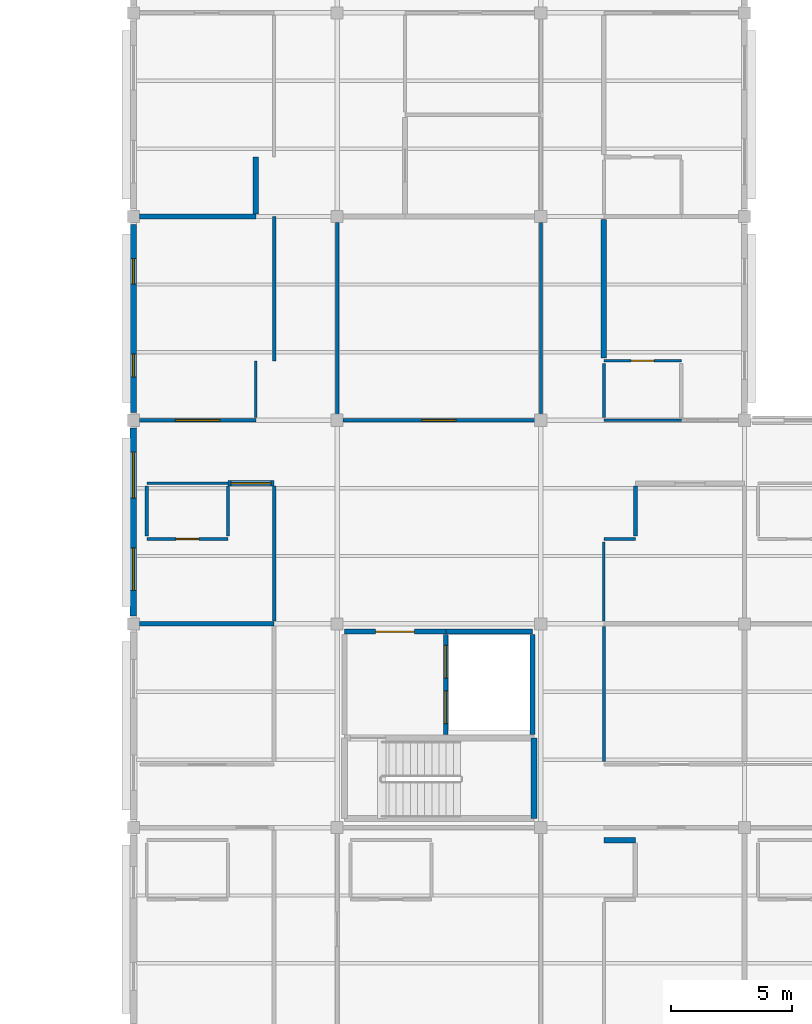
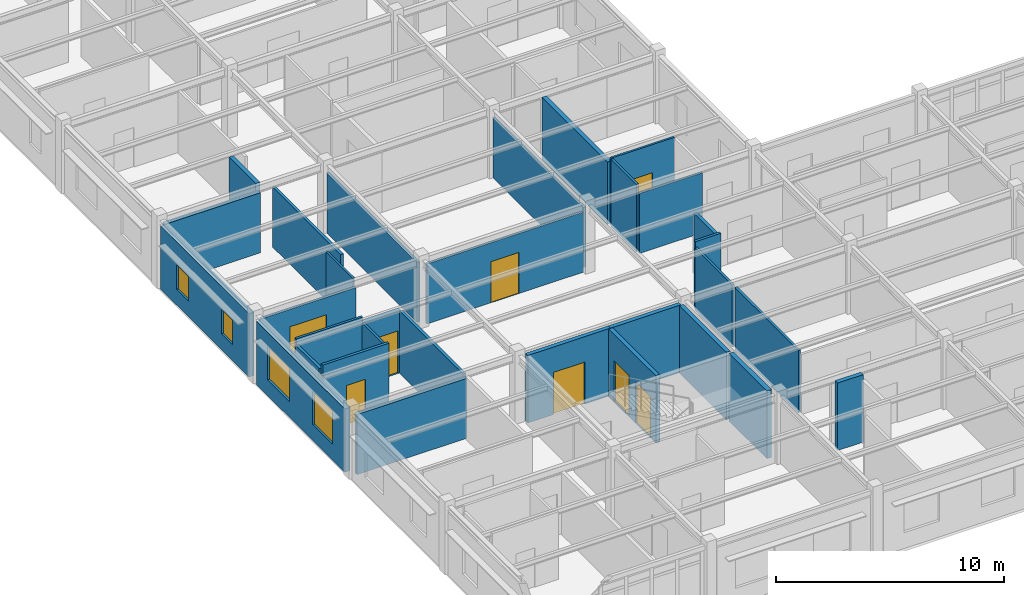
# One storey, part 33 of 53: 31 walls, 8 doors, 4 windows, 12 openings.
"""IFC4 building model written with IfcOpenShell, lengths in metres."""

from ifc_helpers import new_model, si_unit, direction, frame, frame_2d, origin, place, context, subcontext, project, spatial, rectangle, extrude, material, layer, layer_set, type_object, element, fill, save


model = new_model("IFC4")

# Units and contexts
model_context = context("Model", 3, precision=1e-05, world=origin(), true_north=direction((0.0, 1.0)))
body_context = subcontext(model_context, "Body", "Model", "MODEL_VIEW")
ifc_project = project(units=[si_unit("LENGTHUNIT", "METRE"), si_unit("AREAUNIT", "SQUARE_METRE"), si_unit("VOLUMEUNIT", "CUBIC_METRE"), si_unit("PLANEANGLEUNIT", "RADIAN"), si_unit("MASSUNIT", "GRAM", prefix="KILO")], contexts=[model_context])

# Site, building, storey
site_placement = place(None, origin())
site = spatial("IfcSite", under=ifc_project, at=site_placement, CompositionType="ELEMENT")
building_placement = place(site_placement, origin())
building = spatial("IfcBuilding", under=site, at=building_placement, Name="Bramfleet General Hospital", CompositionType="ELEMENT")
storey_placement = place(building_placement, frame((0.0, 0.0, 26.39990234375)))
storey = spatial("IfcBuildingStorey", under=building, at=storey_placement, Name="L06", CompositionType="ELEMENT", Elevation=26.39990234375)

# Wall, openings, windows
ifc_material_1 = material(Name="Precast concrete C40/50", Category="concrete")
ifc_layer_1 = layer(ifc_material_1, 0.264892578125, Name="WT-EW-07")
ifc_layer_set_1 = layer_set([ifc_layer_1], Name="Precast concrete C40/50")
wall_type_1 = type_object("IfcWallType", Name="WT-EW-07", PredefinedType="SOLIDWALL", material=ifc_layer_set_1)
wall_1_placement = place(storey_placement, frame((92.39990234375, 17.125, 0.0), z_axis=(0.0, 0.0, 1.0), x_axis=(0.0, 1.0, 0.0)))
wall_1 = element("IfcWall", 1, at=wall_1_placement, inside=storey, type_object=wall_type_1, Name="L06 Exterior Wall 425", PredefinedType="SOLIDWALL", context=body_context, shape_type="SweptSolid", body=[
    extrude(rectangle(XDim=7.75, YDim=0.264892578125, at=frame_2d((3.875, 0.0))), origin(), (0.0, 0.0, 1.0), 3.380126953125),
])
opening_1_placement = place(wall_1_placement, frame((1.0625, 0.0, 0.85009765625)))
opening_1 = element("IfcOpeningElement", 2, at=opening_1_placement, cuts=wall_1, Name="Opening W-45", PredefinedType="OPENING", context=body_context, shape_type="SweptSolid", body=[
    extrude(rectangle(XDim=1.75, YDim=1.780029296875, at=frame_2d((0.875, 0.89013671875))), frame((0.0, 0.142333984375, 0.0), z_axis=(0.0, -1.0, 0.0), x_axis=(1.0, 0.0, 0.0)), (0.0, 0.0, 1.0), 0.284912109375),
])
opening_2_placement = place(wall_1_placement, frame((4.862548828125, 0.0, 0.85009765625)))
opening_2 = element("IfcOpeningElement", 3, at=opening_2_placement, cuts=wall_1, Name="Opening W-46", PredefinedType="OPENING", context=body_context, shape_type="SweptSolid", body=[
    extrude(rectangle(XDim=1.89990234375, YDim=1.780029296875, at=frame_2d((0.949951171875, 0.89013671875))), frame((0.0, 0.142333984375, 0.0), z_axis=(0.0, -1.0, 0.0), x_axis=(1.0, 0.0, 0.0)), (0.0, 0.0, 1.0), 0.284912109375),
])
ifc_material_2 = material(Name="Anodised aluminium and low-E triple glazing", Category="aluminium")
window_type_1 = type_object("IfcWindowType", Name="WIN-W-45", PartitioningType="SINGLE_PANEL", PredefinedType="WINDOW", material=ifc_material_2)
window_1_placement = place(opening_1_placement, origin())
window_1 = element("IfcWindow", 4, at=window_1_placement, inside=storey, type_object=window_type_1, Name="L06 Facade Window WIN-L06-425-1", OverallHeight=1.780029296875, OverallWidth=1.75, PartitioningType="SINGLE_PANEL", PredefinedType="WINDOW", context=body_context, shape_type="SweptSolid", body=[
    extrude(rectangle(XDim=1.75, YDim=1.780029296875, at=frame_2d((0.875, 0.89013671875))), frame((0.0, 0.030029296875, 0.0), z_axis=(0.0, -1.0, 0.0), x_axis=(1.0, 0.0, 0.0)), (0.0, 0.0, 1.0), 0.06005859375),
])
fill(opening_1, window_1)
window_type_2 = type_object("IfcWindowType", Name="WIN-W-46", PartitioningType="SINGLE_PANEL", PredefinedType="WINDOW", material=ifc_material_2)
window_2_placement = place(opening_2_placement, origin())
window_2 = element("IfcWindow", 5, at=window_2_placement, inside=storey, type_object=window_type_2, Name="L06 Facade Window WIN-L06-425-2", OverallHeight=1.780029296875, OverallWidth=1.89990234375, PartitioningType="SINGLE_PANEL", PredefinedType="WINDOW", context=body_context, shape_type="SweptSolid", body=[
    extrude(rectangle(XDim=1.89990234375, YDim=1.780029296875, at=frame_2d((0.949951171875, 0.89013671875))), frame((0.0, 0.030029296875, 0.0), z_axis=(0.0, -1.0, 0.0), x_axis=(1.0, 0.0, 0.0)), (0.0, 0.0, 1.0), 0.06005859375),
])
fill(opening_2, window_2)

ifc_layer_2 = layer(ifc_material_1, 0.25, Name="WT-EW-08")
ifc_layer_set_2 = layer_set([ifc_layer_2], Name="Precast concrete C40/50")
wall_type_2 = type_object("IfcWallType", Name="WT-EW-08", PredefinedType="SOLIDWALL", material=ifc_layer_set_2)
wall_2_placement = place(storey_placement, frame((92.39990234375, 25.52490234375, 0.0), z_axis=(0.0, 0.0, 1.0), x_axis=(0.0, 1.0, 0.0)))
wall_2 = element("IfcWall", 6, at=wall_2_placement, inside=storey, type_object=wall_type_2, Name="L06 Exterior Wall 426", PredefinedType="SOLIDWALL", context=body_context, shape_type="SweptSolid", body=[
    extrude(rectangle(XDim=7.75, YDim=0.25, at=frame_2d((3.875, 0.0))), origin(), (0.0, 0.0, 1.0), 3.380126953125),
])
opening_3_placement = place(wall_2_placement, frame((1.46240234375, 0.0, 0.85009765625)))
opening_3 = element("IfcOpeningElement", 7, at=opening_3_placement, cuts=wall_2, Name="Opening W-01", PredefinedType="OPENING", context=body_context, shape_type="SweptSolid", body=[
    extrude(rectangle(XDim=0.949951171875, YDim=1.300048828125, at=frame_2d((0.47509765625, 0.64990234375))), frame((0.0, 0.135009765625, 0.0), z_axis=(0.0, -1.0, 0.0), x_axis=(1.0, 0.0, 0.0)), (0.0, 0.0, 1.0), 0.27001953125),
])
opening_4_placement = place(wall_2_placement, frame((5.28759765625, 0.0, 0.85009765625)))
opening_4 = element("IfcOpeningElement", 8, at=opening_4_placement, cuts=wall_2, Name="Opening W-02", PredefinedType="OPENING", context=body_context, shape_type="SweptSolid", body=[
    extrude(rectangle(XDim=1.050048828125, YDim=1.300048828125, at=frame_2d((0.52490234375, 0.64990234375))), frame((0.0, 0.135009765625, 0.0), z_axis=(0.0, -1.0, 0.0), x_axis=(1.0, 0.0, 0.0)), (0.0, 0.0, 1.0), 0.27001953125),
])
window_type_3 = type_object("IfcWindowType", Name="WIN-W-01", PartitioningType="SINGLE_PANEL", PredefinedType="WINDOW", material=ifc_material_2)
window_3_placement = place(opening_3_placement, origin())
window_3 = element("IfcWindow", 9, at=window_3_placement, inside=storey, type_object=window_type_3, Name="L06 Facade Window WIN-L06-426-1", OverallHeight=1.300048828125, OverallWidth=0.949951171875, PartitioningType="SINGLE_PANEL", PredefinedType="WINDOW", context=body_context, shape_type="SweptSolid", body=[
    extrude(rectangle(XDim=0.949951171875, YDim=1.300048828125, at=frame_2d((0.47509765625, 0.64990234375))), frame((0.0, 0.030029296875, 0.0), z_axis=(0.0, -1.0, 0.0), x_axis=(1.0, 0.0, 0.0)), (0.0, 0.0, 1.0), 0.06005859375),
])
fill(opening_3, window_3)
window_type_4 = type_object("IfcWindowType", Name="WIN-W-02", PartitioningType="SINGLE_PANEL", PredefinedType="WINDOW", material=ifc_material_2)
window_4_placement = place(opening_4_placement, origin())
window_4 = element("IfcWindow", 10, at=window_4_placement, inside=storey, type_object=window_type_4, Name="L06 Facade Window WIN-L06-426-2", OverallHeight=1.300048828125, OverallWidth=1.050048828125, PartitioningType="SINGLE_PANEL", PredefinedType="WINDOW", context=body_context, shape_type="SweptSolid", body=[
    extrude(rectangle(XDim=1.050048828125, YDim=1.300048828125, at=frame_2d((0.52490234375, 0.64990234375))), frame((0.0, 0.030029296875, 0.0), z_axis=(0.0, -1.0, 0.0), x_axis=(1.0, 0.0, 0.0)), (0.0, 0.0, 1.0), 0.06005859375),
])
fill(opening_4, window_4)

# Wall
ifc_material_3 = material(Name="Concrete C35/45", Category="concrete")
ifc_layer_3 = layer(ifc_material_3, 0.219970703125, Name="WT-IW-01")
ifc_layer_set_3 = layer_set([ifc_layer_3], Name="Concrete C35/45")
wall_type_3 = type_object("IfcWallType", Name="WT-IW-01", PredefinedType="PARTITIONING", material=ifc_layer_set_3)
wall_3_placement = place(storey_placement, frame((111.800048828125, 7.8798828125, 0.0), z_axis=(0.0, 0.0, 1.0), x_axis=(1.0, 0.0, 0.0)))
element("IfcWall", 11, at=wall_3_placement, inside=storey, type_object=wall_type_3, Name="L06 Interior Partition IW-L06-3841", PredefinedType="PARTITIONING", context=body_context, shape_type="SweptSolid", body=[
    extrude(rectangle(XDim=1.300048828125, YDim=0.219970703125, at=frame_2d((0.64990234375, 0.0))), origin(), (0.0, 0.0, 1.0), 3.610107421875),
])

# Wall, opening, door
wall_4_placement = place(storey_placement, frame((96.300048828125, 22.60009765625, 0.0), z_axis=(0.0, 0.0, 1.0), x_axis=(1.0, 0.0, 0.0)))
wall_4 = element("IfcWall", 12, at=wall_4_placement, inside=storey, type_object=wall_type_3, Name="L06 Interior Partition IW-L06-3865", PredefinedType="PARTITIONING", context=body_context, shape_type="SweptSolid", body=[
    extrude(rectangle(XDim=1.89990234375, YDim=0.219970703125, at=frame_2d((0.949951171875, 0.0))), origin(), (0.0, 0.0, 1.0), 3.340087890625),
])
opening_5_placement = place(wall_4_placement, frame((0.1298828125, 0.0, 0.0)))
opening_5 = element("IfcOpeningElement", 13, at=opening_5_placement, cuts=wall_4, Name="Opening D1458", PredefinedType="OPENING", context=body_context, shape_type="SweptSolid", body=[
    extrude(rectangle(XDim=1.639892578125, YDim=2.280029296875, at=frame_2d((0.81982421875, 1.14013671875))), frame((0.0, 0.119873046875, 0.0), z_axis=(0.0, -1.0, 0.0), x_axis=(1.0, 0.0, 0.0)), (0.0, 0.0, 1.0), 0.239990234375),
])
ifc_material_4 = material(Name="Stainless steel and acoustic timber leaf", Category="steel")
door_type_1 = type_object("IfcDoorType", Name="DR-D-18", OperationType="NOTDEFINED", PredefinedType="DOOR", material=ifc_material_4)
door_1_placement = place(opening_5_placement, origin())
door_1 = element("IfcDoor", 14, at=door_1_placement, inside=storey, type_object=door_type_1, Name="Oncology and Neurology Ward Bedroom L06-1102 Door D1458", OperationType="DOUBLE_SWING_LEFT", OverallHeight=2.280029296875, OverallWidth=1.639892578125, PredefinedType="DOOR", context=body_context, shape_type="SweptSolid", body=[
    extrude(rectangle(XDim=1.639892578125, YDim=2.280029296875, at=frame_2d((0.81982421875, 1.14013671875))), frame((0.0, 0.02490234375, 0.0), z_axis=(0.0, -1.0, 0.0), x_axis=(1.0, 0.0, 0.0)), (0.0, 0.0, 1.0), 0.050048828125),
])
fill(opening_5, door_1)

# Walls
wall_5_placement = place(storey_placement, frame((92.64501953125, 33.60009765625, 0.0), z_axis=(0.0, 0.0, 1.0), x_axis=(1.0, 0.0, 0.0)))
element("IfcWall", 15, at=wall_5_placement, inside=storey, type_object=wall_type_3, Name="L06 Interior Partition IW-L06-3877", PredefinedType="PARTITIONING", context=body_context, shape_type="SweptSolid", body=[
    extrude(rectangle(XDim=4.804931640625, YDim=0.219970703125, at=frame_2d((2.40234375, 0.0))), origin(), (0.0, 0.0, 1.0), 3.210205078125),
])
wall_6_placement = place(storey_placement, frame((97.449951171875, 33.715087890625, 0.0), z_axis=(0.0, 0.0, 1.0), x_axis=(0.0, 1.0, 0.0)))
element("IfcWall", 16, at=wall_6_placement, inside=storey, type_object=wall_type_3, Name="L06 Interior Partition IW-L06-4009", PredefinedType="PARTITIONING", context=body_context, shape_type="SweptSolid", body=[
    extrude(rectangle(XDim=2.3349609375, YDim=0.219970703125, at=frame_2d((1.16748046875, 0.0))), origin(), (0.0, 0.0, 1.0), 3.610107421875),
])
wall_7_placement = place(storey_placement, frame((111.800048828125, 27.764892578125, 0.0), z_axis=(0.0, 0.0, 1.0), x_axis=(0.0, 1.0, 0.0)))
element("IfcWall", 17, at=wall_7_placement, inside=storey, type_object=wall_type_3, Name="L06 Interior Partition IW-L06-4057", PredefinedType="PARTITIONING", context=body_context, shape_type="SweptSolid", body=[
    extrude(rectangle(XDim=5.72021484375, YDim=0.219970703125, at=frame_2d((2.860107421875, 0.0))), origin(), (0.0, 0.0, 1.0), 3.340087890625),
])

# Wall, openings, doors
ifc_layer_4 = layer(ifc_material_3, 0.205078125, Name="WT-IW-02")
ifc_layer_set_4 = layer_set([ifc_layer_4], Name="Concrete C35/45")
wall_type_4 = type_object("IfcWallType", Name="WT-IW-02", PredefinedType="PARTITIONING", material=ifc_layer_set_4)
wall_8_placement = place(storey_placement, frame((105.280029296875, 12.239990234375, 0.0), z_axis=(0.0, 0.0, 1.0), x_axis=(0.0, 1.0, 0.0)))
wall_8 = element("IfcWall", 18, at=wall_8_placement, inside=storey, type_object=wall_type_4, Name="L06 C3 Lobby East Shaft Wall", PredefinedType="PARTITIONING", context=body_context, shape_type="SweptSolid", body=[
    extrude(rectangle(XDim=4.1201171875, YDim=0.205078125, at=frame_2d((2.06005859375, 0.0))), origin(), (0.0, 0.0, 1.0), 3.610107421875),
])
opening_6_placement = place(wall_8_placement, frame((0.445068359375, 0.0, 0.0)))
opening_6 = element("IfcOpeningElement", 19, at=opening_6_placement, cuts=wall_8, Name="Opening LD-FL-01-L06", PredefinedType="OPENING", context=body_context, shape_type="SweptSolid", body=[
    extrude(rectangle(XDim=1.35009765625, YDim=2.199951171875, at=frame_2d((0.675048828125, 1.10009765625))), frame((0.0, 0.112548828125, 0.0), z_axis=(0.0, -1.0, 0.0), x_axis=(1.0, 0.0, 0.0)), (0.0, 0.0, 1.0), 0.22509765625),
])
opening_7_placement = place(wall_8_placement, frame((2.324951171875, 0.0, 0.0)))
opening_7 = element("IfcOpeningElement", 20, at=opening_7_placement, cuts=wall_8, Name="Opening LD-BL-03-L06", PredefinedType="OPENING", context=body_context, shape_type="SweptSolid", body=[
    extrude(rectangle(XDim=1.35009765625, YDim=2.199951171875, at=frame_2d((0.675048828125, 1.10009765625))), frame((0.0, 0.112548828125, 0.0), z_axis=(0.0, -1.0, 0.0), x_axis=(1.0, 0.0, 0.0)), (0.0, 0.0, 1.0), 0.22509765625),
])
ifc_material_5 = material(Name="Brushed stainless steel 1.4301", Category="steel")
door_type_2 = type_object("IfcDoorType", Name="DR-LD-01", OperationType="NOTDEFINED", PredefinedType="DOOR", material=ifc_material_5)
door_2_placement = place(opening_6_placement, origin())
door_2 = element("IfcDoor", 21, at=door_2_placement, inside=storey, type_object=door_type_2, Name="L06 Lift FL-01 Sliding Landing Door", OperationType="SLIDING_TO_LEFT", OverallHeight=2.199951171875, OverallWidth=1.35009765625, PredefinedType="DOOR", context=body_context, shape_type="SweptSolid", body=[
    extrude(rectangle(XDim=1.35009765625, YDim=2.199951171875, at=frame_2d((0.675048828125, 1.10009765625))), frame((0.0, 0.02490234375, 0.0), z_axis=(0.0, -1.0, 0.0), x_axis=(1.0, 0.0, 0.0)), (0.0, 0.0, 1.0), 0.050048828125),
])
fill(opening_6, door_2)
door_3_placement = place(opening_7_placement, origin())
door_3 = element("IfcDoor", 22, at=door_3_placement, inside=storey, type_object=door_type_2, Name="L06 Lift BL-03 Sliding Landing Door", OperationType="SLIDING_TO_LEFT", OverallHeight=2.199951171875, OverallWidth=1.35009765625, PredefinedType="DOOR", context=body_context, shape_type="SweptSolid", body=[
    extrude(rectangle(XDim=1.35009765625, YDim=2.199951171875, at=frame_2d((0.675048828125, 1.10009765625))), frame((0.0, 0.02490234375, 0.0), z_axis=(0.0, -1.0, 0.0), x_axis=(1.0, 0.0, 0.0)), (0.0, 0.0, 1.0), 0.050048828125),
])
fill(opening_7, door_3)

# Walls
wall_9_placement = place(storey_placement, frame((108.85009765625, 12.239990234375, 0.0), z_axis=(0.0, 0.0, 1.0), x_axis=(0.0, 1.0, 0.0)))
element("IfcWall", 23, at=wall_9_placement, inside=storey, type_object=wall_type_4, Name="L06 C3 Lift Shaft East Wall", PredefinedType="PARTITIONING", context=body_context, shape_type="SweptSolid", body=[
    extrude(rectangle(XDim=4.1201171875, YDim=0.205078125, at=frame_2d((2.06005859375, 0.0))), origin(), (0.0, 0.0, 1.0), 3.610107421875),
])
wall_10_placement = place(storey_placement, frame((105.280029296875, 16.47998046875, 0.0), z_axis=(0.0, 0.0, 1.0), x_axis=(1.0, 0.0, 0.0)))
element("IfcWall", 24, at=wall_10_placement, inside=storey, type_object=wall_type_4, Name="L06 C3 Lift Shaft North Wall", PredefinedType="PARTITIONING", context=body_context, shape_type="SweptSolid", body=[
    extrude(rectangle(XDim=3.570068359375, YDim=0.205078125, at=frame_2d((1.78515625, 0.0))), origin(), (0.0, 0.0, 1.0), 3.610107421875),
])

# Wall, opening, door
wall_11_placement = place(storey_placement, frame((101.10009765625, 16.47998046875, 0.0), z_axis=(0.0, 0.0, 1.0), x_axis=(1.0, 0.0, 0.0)))
wall_11 = element("IfcWall", 25, at=wall_11_placement, inside=storey, type_object=wall_type_4, Name="L06 C3 Lobby North Compartment Wall", PredefinedType="PARTITIONING", context=body_context, shape_type="SweptSolid", body=[
    extrude(rectangle(XDim=4.179931640625, YDim=0.205078125, at=frame_2d((2.08984375, 0.0))), origin(), (0.0, 0.0, 1.0), 3.610107421875),
])
opening_8_placement = place(wall_11_placement, frame((1.2900390625, 0.0, 0.0)))
opening_8 = element("IfcOpeningElement", 26, at=opening_8_placement, cuts=wall_11, Name="Opening D0034", PredefinedType="OPENING", context=body_context, shape_type="SweptSolid", body=[
    extrude(rectangle(XDim=1.60009765625, YDim=2.25, at=frame_2d((0.800048828125, 1.125))), frame((0.0, 0.112548828125, 0.0), z_axis=(0.0, -1.0, 0.0), x_axis=(1.0, 0.0, 0.0)), (0.0, 0.0, 1.0), 0.22509765625),
])
door_type_3 = type_object("IfcDoorType", Name="DR-D-04", OperationType="NOTDEFINED", PredefinedType="DOOR", material=ifc_material_4)
door_4_placement = place(opening_8_placement, origin())
door_4 = element("IfcDoor", 27, at=door_4_placement, inside=storey, type_object=door_type_3, Name="L06 C3 Lobby Fire Door D0034", OperationType="DOUBLE_SWING_LEFT", OverallHeight=2.25, OverallWidth=1.60009765625, PredefinedType="DOOR", context=body_context, shape_type="SweptSolid", body=[
    extrude(rectangle(XDim=1.60009765625, YDim=2.25, at=frame_2d((0.800048828125, 1.125))), frame((0.0, 0.02490234375, 0.0), z_axis=(0.0, -1.0, 0.0), x_axis=(1.0, 0.0, 0.0)), (0.0, 0.0, 1.0), 0.050048828125),
])
fill(opening_8, door_4)

# Walls
ifc_layer_5 = layer(ifc_material_3, 0.18994140625, Name="WT-IW-03")
ifc_layer_set_5 = layer_set([ifc_layer_5], Name="Concrete C35/45")
wall_type_5 = type_object("IfcWallType", Name="WT-IW-03", PredefinedType="PARTITIONING", material=ifc_layer_set_5)
wall_12_placement = place(storey_placement, frame((92.64501953125, 16.800048828125, 0.0), z_axis=(0.0, 0.0, 1.0), x_axis=(1.0, 0.0, 0.0)))
element("IfcWall", 28, at=wall_12_placement, inside=storey, type_object=wall_type_5, Name="L06 Interior Partition IW-L06-3855", PredefinedType="PARTITIONING", context=body_context, shape_type="SweptSolid", body=[
    extrude(rectangle(XDim=5.554931640625, YDim=0.18994140625, at=frame_2d((2.77734375, 0.0))), origin(), (0.0, 0.0, 1.0), 3.210205078125),
])
ifc_material_6 = material(Name="Gypsum plasterboard on acoustic steel studs", Category="steel")
ifc_layer_6 = layer(ifc_material_6, 0.169921875, Name="WT-IW-05")
ifc_layer_set_6 = layer_set([ifc_layer_6], Name="Gypsum plasterboard on acoustic steel studs")
wall_type_6 = type_object("IfcWallType", Name="WT-IW-05", PredefinedType="PARTITIONING", material=ifc_layer_set_6)
wall_13_placement = place(storey_placement, frame((113.10009765625, 20.4150390625, 0.0), z_axis=(0.0, 0.0, 1.0), x_axis=(0.0, 1.0, 0.0)))
element("IfcWall", 29, at=wall_13_placement, inside=storey, type_object=wall_type_6, Name="L06 Interior Partition IW-L06-4073", PredefinedType="PARTITIONING", context=body_context, shape_type="SweptSolid", body=[
    extrude(rectangle(XDim=2.070068359375, YDim=0.169921875, at=frame_2d((1.03515625, 0.0))), origin(), (0.0, 0.0, 1.0), 3.340087890625),
])
ifc_layer_7 = layer(ifc_material_6, 0.14990234375, Name="WT-IW-07")
ifc_layer_set_7 = layer_set([ifc_layer_7], Name="Gypsum plasterboard on acoustic steel studs")
wall_type_7 = type_object("IfcWallType", Name="WT-IW-07", PredefinedType="PARTITIONING", material=ifc_layer_set_7)
wall_14_placement = place(storey_placement, frame((92.949951171875, 20.4150390625, 0.0), z_axis=(0.0, 0.0, 1.0), x_axis=(0.0, 1.0, 0.0)))
element("IfcWall", 30, at=wall_14_placement, inside=storey, type_object=wall_type_7, Name="L06 Interior Partition IW-L06-4003", PredefinedType="PARTITIONING", context=body_context, shape_type="SweptSolid", body=[
    extrude(rectangle(XDim=2.070068359375, YDim=0.14990234375, at=frame_2d((1.03515625, 0.0))), origin(), (0.0, 0.0, 1.0), 3.340087890625),
])
wall_15_placement = place(storey_placement, frame((98.199951171875, 16.9150390625, 0.0), z_axis=(0.0, 0.0, 1.0), x_axis=(0.0, 1.0, 0.0)))
element("IfcWall", 31, at=wall_15_placement, inside=storey, type_object=wall_type_7, Name="L06 Interior Partition IW-L06-4015", PredefinedType="PARTITIONING", context=body_context, shape_type="SweptSolid", body=[
    extrude(rectangle(XDim=5.570068359375, YDim=0.14990234375, at=frame_2d((2.78515625, 0.0))), origin(), (0.0, 0.0, 1.0), 3.340087890625),
])

# Wall, opening, door
ifc_layer_8 = layer(ifc_material_6, 0.139892578125, Name="WT-IW-08")
ifc_layer_set_8 = layer_set([ifc_layer_8], Name="Gypsum plasterboard on acoustic steel studs")
wall_type_8 = type_object("IfcWallType", Name="WT-IW-08", PredefinedType="PARTITIONING", material=ifc_layer_set_8)
wall_16_placement = place(storey_placement, frame((92.949951171875, 20.300048828125, 0.0), z_axis=(0.0, 0.0, 1.0), x_axis=(1.0, 0.0, 0.0)))
wall_16 = element("IfcWall", 32, at=wall_16_placement, inside=storey, type_object=wall_type_8, Name="L06 Interior Partition IW-L06-3860", PredefinedType="PARTITIONING", context=body_context, shape_type="SweptSolid", body=[
    extrude(rectangle(XDim=3.35009765625, YDim=0.139892578125, at=frame_2d((1.675048828125, 0.0))), origin(), (0.0, 0.0, 1.0), 3.610107421875),
])
opening_9_placement = place(wall_16_placement, frame((1.199951171875, 0.0, 0.0)))
opening_9 = element("IfcOpeningElement", 33, at=opening_9_placement, cuts=wall_16, Name="Opening D1459", PredefinedType="OPENING", context=body_context, shape_type="SweptSolid", body=[
    extrude(rectangle(XDim=0.949951171875, YDim=2.10009765625, at=frame_2d((0.47509765625, 1.050048828125))), frame((0.0, 0.079833984375, 0.0), z_axis=(0.0, -1.0, 0.0), x_axis=(1.0, 0.0, 0.0)), (0.0, 0.0, 1.0), 0.159912109375),
])
door_type_4 = type_object("IfcDoorType", Name="DR-D-10", OperationType="NOTDEFINED", PredefinedType="DOOR", material=ifc_material_4)
door_5_placement = place(opening_9_placement, origin())
door_5 = element("IfcDoor", 34, at=door_5_placement, inside=storey, type_object=door_type_4, Name="En-Suite Bathroom L06-1102 Door D1459", OperationType="SINGLE_SWING_LEFT", OverallHeight=2.10009765625, OverallWidth=0.949951171875, PredefinedType="DOOR", context=body_context, shape_type="SweptSolid", body=[
    extrude(rectangle(XDim=0.949951171875, YDim=2.10009765625, at=frame_2d((0.47509765625, 1.050048828125))), frame((0.0, 0.02490234375, 0.0), z_axis=(0.0, -1.0, 0.0), x_axis=(1.0, 0.0, 0.0)), (0.0, 0.0, 1.0), 0.050048828125),
])
fill(opening_9, door_5)

wall_17_placement = place(storey_placement, frame((92.64501953125, 25.199951171875, 0.0), z_axis=(0.0, 0.0, 1.0), x_axis=(1.0, 0.0, 0.0)))
wall_17 = element("IfcWall", 35, at=wall_17_placement, inside=storey, type_object=wall_type_8, Name="L06 Interior Partition IW-L06-3872", PredefinedType="PARTITIONING", context=body_context, shape_type="SweptSolid", body=[
    extrude(rectangle(XDim=4.804931640625, YDim=0.139892578125, at=frame_2d((2.40234375, 0.0))), origin(), (0.0, 0.0, 1.0), 3.210205078125),
])
opening_10_placement = place(wall_17_placement, frame((1.482421875, 0.0, 0.0)))
opening_10 = element("IfcOpeningElement", 36, at=opening_10_placement, cuts=wall_17, Name="Opening D1460", PredefinedType="OPENING", context=body_context, shape_type="SweptSolid", body=[
    extrude(rectangle(XDim=1.840087890625, YDim=2.280029296875, at=frame_2d((0.919921875, 1.14013671875))), frame((0.0, 0.079833984375, 0.0), z_axis=(0.0, -1.0, 0.0), x_axis=(1.0, 0.0, 0.0)), (0.0, 0.0, 1.0), 0.159912109375),
])
door_type_5 = type_object("IfcDoorType", Name="DR-D-20", OperationType="NOTDEFINED", PredefinedType="DOOR", material=ifc_material_4)
door_6_placement = place(opening_10_placement, origin())
door_6 = element("IfcDoor", 37, at=door_6_placement, inside=storey, type_object=door_type_5, Name="Oncology and Neurology Ward Bedroom L06-1103 Door D1460", OperationType="DOUBLE_SWING_LEFT", OverallHeight=2.280029296875, OverallWidth=1.840087890625, PredefinedType="DOOR", context=body_context, shape_type="SweptSolid", body=[
    extrude(rectangle(XDim=1.840087890625, YDim=2.280029296875, at=frame_2d((0.919921875, 1.14013671875))), frame((0.0, 0.02490234375, 0.0), z_axis=(0.0, -1.0, 0.0), x_axis=(1.0, 0.0, 0.0)), (0.0, 0.0, 1.0), 0.050048828125),
])
fill(opening_10, door_6)

# Walls
wall_18_placement = place(storey_placement, frame((98.199951171875, 27.64990234375, 0.0), z_axis=(0.0, 0.0, 1.0), x_axis=(0.0, 1.0, 0.0)))
element("IfcWall", 38, at=wall_18_placement, inside=storey, type_object=wall_type_8, Name="L06 Interior Partition IW-L06-4016", PredefinedType="PARTITIONING", context=body_context, shape_type="SweptSolid", body=[
    extrude(rectangle(XDim=5.9501953125, YDim=0.139892578125, at=frame_2d((2.97509765625, 0.0))), origin(), (0.0, 0.0, 1.0), 3.210205078125),
])
wall_19_placement = place(storey_placement, frame((100.800048828125, 25.445068359375, 0.0), z_axis=(0.0, 0.0, 1.0), x_axis=(0.0, 1.0, 0.0)))
element("IfcWall", 39, at=wall_19_placement, inside=storey, type_object=wall_type_8, Name="L06 Interior Partition IW-L06-4028", PredefinedType="PARTITIONING", context=body_context, shape_type="SweptSolid", body=[
    extrude(rectangle(XDim=7.909912109375, YDim=0.139892578125, at=frame_2d((3.955078125, 0.0))), origin(), (0.0, 0.0, 1.0), 3.210205078125),
])
ifc_layer_9 = layer(ifc_material_6, 0.1298828125, Name="WT-IW-09")
ifc_layer_set_9 = layer_set([ifc_layer_9], Name="Gypsum plasterboard on acoustic steel studs")
wall_type_9 = type_object("IfcWallType", Name="WT-IW-09", PredefinedType="PARTITIONING", material=ifc_layer_set_9)
wall_20_placement = place(storey_placement, frame((111.800048828125, 20.300048828125, 0.0), z_axis=(0.0, 0.0, 1.0), x_axis=(1.0, 0.0, 0.0)))
element("IfcWall", 40, at=wall_20_placement, inside=storey, type_object=wall_type_9, Name="L06 Interior Partition IW-L06-3861", PredefinedType="PARTITIONING", context=body_context, shape_type="SweptSolid", body=[
    extrude(rectangle(XDim=1.300048828125, YDim=0.1298828125, at=frame_2d((0.64990234375, 0.0))), origin(), (0.0, 0.0, 1.0), 3.610107421875),
])

# Wall, opening, door
wall_21_placement = place(storey_placement, frame((101.044921875, 25.199951171875, 0.0), z_axis=(0.0, 0.0, 1.0), x_axis=(1.0, 0.0, 0.0)))
wall_21 = element("IfcWall", 41, at=wall_21_placement, inside=storey, type_object=wall_type_9, Name="L06 Interior Partition IW-L06-3873", PredefinedType="PARTITIONING", context=body_context, shape_type="SweptSolid", body=[
    extrude(rectangle(XDim=7.91015625, YDim=0.1298828125, at=frame_2d((3.955078125, 0.0))), origin(), (0.0, 0.0, 1.0), 3.210205078125),
])
opening_11_placement = place(wall_21_placement, frame((3.2548828125, 0.0, 0.0)))
opening_11 = element("IfcOpeningElement", 42, at=opening_11_placement, cuts=wall_21, Name="Opening D1473", PredefinedType="OPENING", context=body_context, shape_type="SweptSolid", body=[
    extrude(rectangle(XDim=1.39990234375, YDim=2.199951171875, at=frame_2d((0.699951171875, 1.10009765625))), frame((0.0, 0.074951171875, 0.0), z_axis=(0.0, -1.0, 0.0), x_axis=(1.0, 0.0, 0.0)), (0.0, 0.0, 1.0), 0.14990234375),
])
door_type_6 = type_object("IfcDoorType", Name="DR-D-01", OperationType="NOTDEFINED", PredefinedType="DOOR", material=ifc_material_4)
door_7_placement = place(opening_11_placement, origin())
door_7 = element("IfcDoor", 43, at=door_7_placement, inside=storey, type_object=door_type_6, Name="Oncology and Neurology Ward Nurse Station L06-1203 Door D1473", OperationType="SINGLE_SWING_RIGHT", OverallHeight=2.199951171875, OverallWidth=1.39990234375, PredefinedType="DOOR", context=body_context, shape_type="SweptSolid", body=[
    extrude(rectangle(XDim=1.39990234375, YDim=2.199951171875, at=frame_2d((0.699951171875, 1.10009765625))), frame((0.0, 0.02490234375, 0.0), z_axis=(0.0, -1.0, 0.0), x_axis=(1.0, 0.0, 0.0)), (0.0, 0.0, 1.0), 0.050048828125),
])
fill(opening_11, door_7)

# Walls
ifc_layer_10 = layer(ifc_material_6, 0.1201171875, Name="WT-IW-10")
ifc_layer_set_10 = layer_set([ifc_layer_10], Name="Gypsum plasterboard on acoustic steel studs")
wall_type_10 = type_object("IfcWallType", Name="WT-IW-10", PredefinedType="PARTITIONING", material=ifc_layer_set_10)
wall_22_placement = place(storey_placement, frame((92.949951171875, 22.60009765625, 0.0), z_axis=(0.0, 0.0, 1.0), x_axis=(1.0, 0.0, 0.0)))
element("IfcWall", 44, at=wall_22_placement, inside=storey, type_object=wall_type_10, Name="L06 Interior Partition IW-L06-3864", PredefinedType="PARTITIONING", context=body_context, shape_type="SweptSolid", body=[
    extrude(rectangle(XDim=3.35009765625, YDim=0.1201171875, at=frame_2d((1.675048828125, 0.0))), origin(), (0.0, 0.0, 1.0), 3.610107421875),
])
wall_23_placement = place(storey_placement, frame((111.800048828125, 25.199951171875, 0.0), z_axis=(0.0, 0.0, 1.0), x_axis=(1.0, 0.0, 0.0)))
element("IfcWall", 45, at=wall_23_placement, inside=storey, type_object=wall_type_10, Name="L06 Interior Partition IW-L06-3874", PredefinedType="PARTITIONING", context=body_context, shape_type="SweptSolid", body=[
    extrude(rectangle(XDim=3.199951171875, YDim=0.1201171875, at=frame_2d((1.60009765625, 0.0))), origin(), (0.0, 0.0, 1.0), 3.210205078125),
])
wall_24_placement = place(storey_placement, frame((96.300048828125, 20.4150390625, 0.0), z_axis=(0.0, 0.0, 1.0), x_axis=(0.0, 1.0, 0.0)))
element("IfcWall", 46, at=wall_24_placement, inside=storey, type_object=wall_type_10, Name="L06 Interior Partition IW-L06-4006", PredefinedType="PARTITIONING", context=body_context, shape_type="SweptSolid", body=[
    extrude(rectangle(XDim=2.070068359375, YDim=0.1201171875, at=frame_2d((1.03515625, 0.0))), origin(), (0.0, 0.0, 1.0), 3.340087890625),
])
wall_25_placement = place(storey_placement, frame((109.199951171875, 25.445068359375, 0.0), z_axis=(0.0, 0.0, 1.0), x_axis=(0.0, 1.0, 0.0)))
element("IfcWall", 47, at=wall_25_placement, inside=storey, type_object=wall_type_10, Name="L06 Interior Partition IW-L06-4042", PredefinedType="PARTITIONING", context=body_context, shape_type="SweptSolid", body=[
    extrude(rectangle(XDim=7.909912109375, YDim=0.1201171875, at=frame_2d((3.955078125, 0.0))), origin(), (0.0, 0.0, 1.0), 3.210205078125),
])
wall_26_placement = place(storey_placement, frame((111.800048828125, 11.114990234375, 0.0), z_axis=(0.0, 0.0, 1.0), x_axis=(0.0, 1.0, 0.0)))
element("IfcWall", 48, at=wall_26_placement, inside=storey, type_object=wall_type_10, Name="L06 Interior Partition IW-L06-4054", PredefinedType="PARTITIONING", context=body_context, shape_type="SweptSolid", body=[
    extrude(rectangle(XDim=5.570068359375, YDim=0.1201171875, at=frame_2d((2.78515625, 0.0))), origin(), (0.0, 0.0, 1.0), 3.340087890625),
])
wall_27_placement = place(storey_placement, frame((111.800048828125, 25.31494140625, 0.0), z_axis=(0.0, 0.0, 1.0), x_axis=(0.0, 1.0, 0.0)))
element("IfcWall", 49, at=wall_27_placement, inside=storey, type_object=wall_type_10, Name="L06 Interior Partition IW-L06-4056", PredefinedType="PARTITIONING", context=body_context, shape_type="SweptSolid", body=[
    extrude(rectangle(XDim=2.219970703125, YDim=0.1201171875, at=frame_2d((1.10986328125, 0.0))), origin(), (0.0, 0.0, 1.0), 3.610107421875),
])
ifc_layer_11 = layer(ifc_material_6, 0.112060546875, Name="WT-IW-11")
ifc_layer_set_11 = layer_set([ifc_layer_11], Name="Gypsum plasterboard on acoustic steel studs")
wall_type_11 = type_object("IfcWallType", Name="WT-IW-11", PredefinedType="PARTITIONING", material=ifc_layer_set_11)
wall_28_placement = place(storey_placement, frame((111.800048828125, 16.9150390625, 0.0), z_axis=(0.0, 0.0, 1.0), x_axis=(0.0, 1.0, 0.0)))
element("IfcWall", 50, at=wall_28_placement, inside=storey, type_object=wall_type_11, Name="L06 Interior Partition IW-L06-4055", PredefinedType="PARTITIONING", context=body_context, shape_type="SweptSolid", body=[
    extrude(rectangle(XDim=3.27001953125, YDim=0.112060546875, at=frame_2d((1.635009765625, 0.0))), origin(), (0.0, 0.0, 1.0), 3.340087890625),
])

# Wall, opening, door
ifc_layer_12 = layer(ifc_material_6, 0.10009765625, Name="WT-IW-12")
ifc_layer_set_12 = layer_set([ifc_layer_12], Name="Gypsum plasterboard on acoustic steel studs")
wall_type_12 = type_object("IfcWallType", Name="WT-IW-12", PredefinedType="PARTITIONING", material=ifc_layer_set_12)
wall_29_placement = place(storey_placement, frame((111.800048828125, 27.64990234375, 0.0), z_axis=(0.0, 0.0, 1.0), x_axis=(1.0, 0.0, 0.0)))
wall_29 = element("IfcWall", 51, at=wall_29_placement, inside=storey, type_object=wall_type_12, Name="L06 Interior Partition IW-L06-3876", PredefinedType="PARTITIONING", context=body_context, shape_type="SweptSolid", body=[
    extrude(rectangle(XDim=3.199951171875, YDim=0.10009765625, at=frame_2d((1.60009765625, 0.0))), origin(), (0.0, 0.0, 1.0), 3.610107421875),
])
opening_12_placement = place(wall_29_placement, frame((1.125, 0.0, 0.0)))
opening_12 = element("IfcOpeningElement", 52, at=opening_12_placement, cuts=wall_29, Name="Opening D1488", PredefinedType="OPENING", context=body_context, shape_type="SweptSolid", body=[
    extrude(rectangle(XDim=0.949951171875, YDim=2.10009765625, at=frame_2d((0.47509765625, 1.050048828125))), frame((0.0, 0.06005859375, 0.0), z_axis=(0.0, -1.0, 0.0), x_axis=(1.0, 0.0, 0.0)), (0.0, 0.0, 1.0), 0.1201171875),
])
door_8_placement = place(opening_12_placement, origin())
door_8 = element("IfcDoor", 53, at=door_8_placement, inside=storey, type_object=door_type_4, Name="En-Suite Bathroom L06-1303 Door D1488", OperationType="SINGLE_SWING_LEFT", OverallHeight=2.10009765625, OverallWidth=0.949951171875, PredefinedType="DOOR", context=body_context, shape_type="SweptSolid", body=[
    extrude(rectangle(XDim=0.949951171875, YDim=2.10009765625, at=frame_2d((0.47509765625, 1.050048828125))), frame((0.0, 0.02490234375, 0.0), z_axis=(0.0, -1.0, 0.0), x_axis=(1.0, 0.0, 0.0)), (0.0, 0.0, 1.0), 0.050048828125),
])
fill(opening_12, door_8)

# Walls
wall_30_placement = place(storey_placement, frame((97.449951171875, 25.31494140625, 0.0), z_axis=(0.0, 0.0, 1.0), x_axis=(0.0, 1.0, 0.0)))
element("IfcWall", 54, at=wall_30_placement, inside=storey, type_object=wall_type_12, Name="L06 Interior Partition IW-L06-4008", PredefinedType="PARTITIONING", context=body_context, shape_type="SweptSolid", body=[
    extrude(rectangle(XDim=2.3349609375, YDim=0.10009765625, at=frame_2d((1.16748046875, 0.0))), origin(), (0.0, 0.0, 1.0), 3.610107421875),
])
ifc_material_7 = material(Name="Concrete C40/50", Category="concrete")
ifc_layer_13 = layer(ifc_material_7, 0.239990234375, Name="WT-SW-240")
ifc_layer_set_13 = layer_set([ifc_layer_13], Name="Concrete C40/50")
wall_type_13 = type_object("IfcWallType", Name="WT-SW-240", PredefinedType="SHEAR", material=ifc_layer_set_13)
wall_31_placement = place(storey_placement, frame((108.919921875, 8.780029296875, 0.0), z_axis=(0.0, 0.0, 1.0), x_axis=(0.0, 1.0, 0.0)))
element("IfcWall", 55, at=wall_31_placement, inside=storey, type_object=wall_type_13, Name="L06 C3 East Stair Shear Wall", PredefinedType="SHEAR", context=body_context, shape_type="SweptSolid", body=[
    extrude(rectangle(XDim=3.320068359375, YDim=0.239990234375, at=frame_2d((1.66015625, 0.0))), origin(), (0.0, 0.0, 1.0), 3.6201171875),
])

save(model, "model.ifc")
